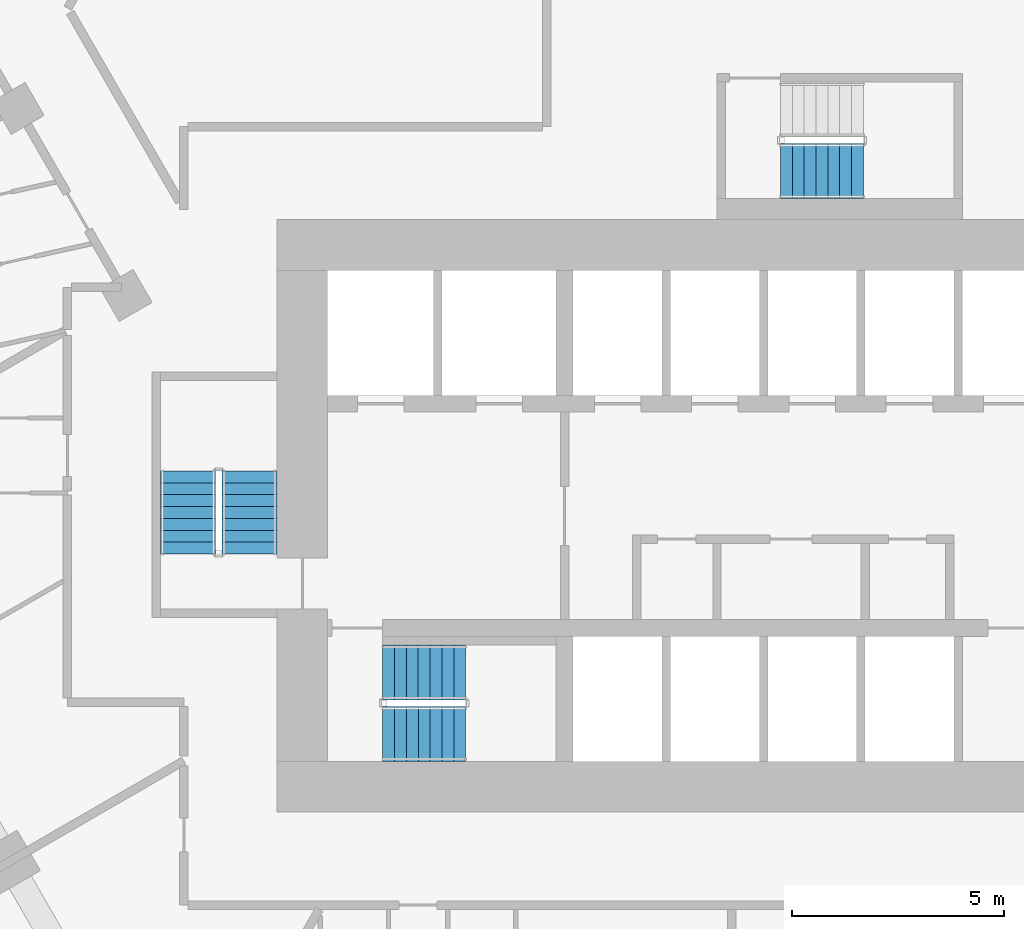
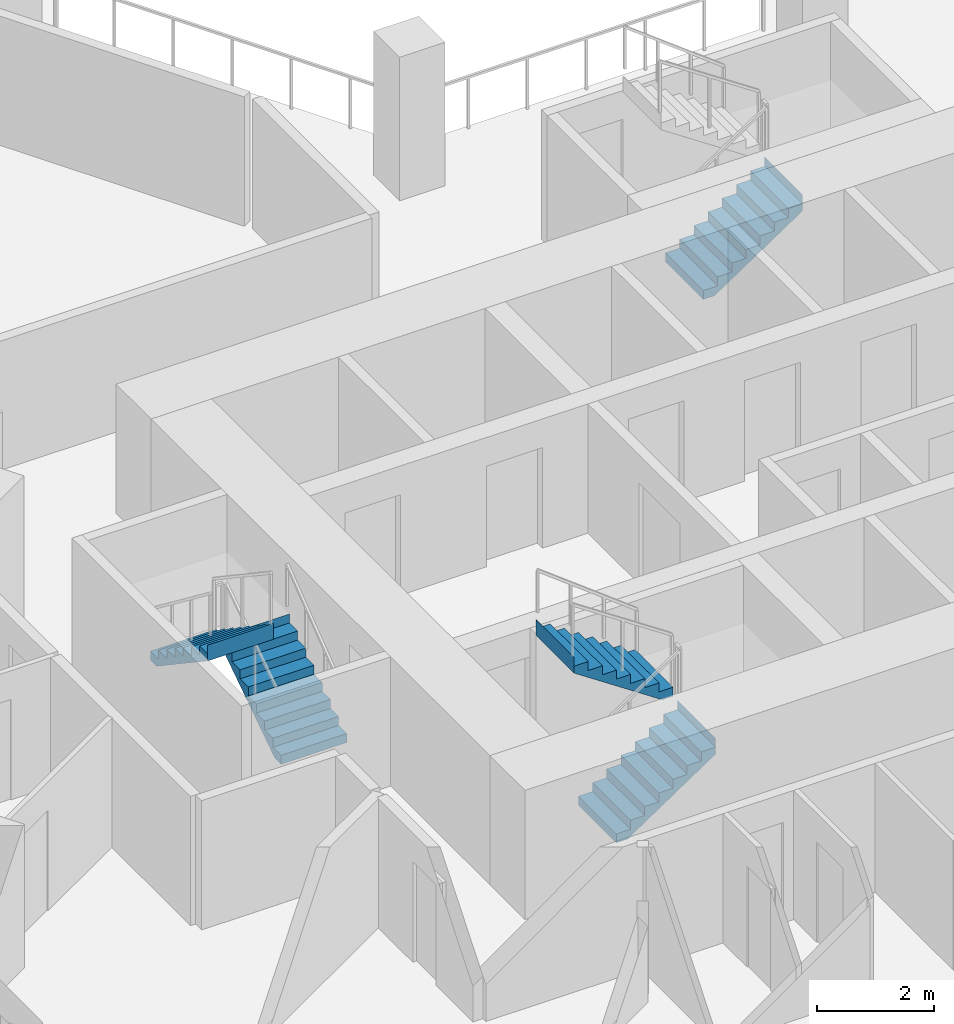
# One storey, part 11 of 16: 5 stair flights, 3 elements without a shape of their own.
"""IFC4 building model written with IfcOpenShell, lengths in metres."""

from ifc_helpers import new_model, si_unit, direction, frame, origin, place, context, subcontext, project, spatial, triangles, material, type_object, element, aggregate, save


model = new_model("IFC4")

# Units and contexts
model_context = context("Model", 3, precision=1e-05, world=origin(), true_north=direction((0.0, 1.0)))
body_context = subcontext(model_context, "Body", "Model", "MODEL_VIEW")
ifc_project = project(units=[si_unit("LENGTHUNIT", "METRE"), si_unit("AREAUNIT", "SQUARE_METRE"), si_unit("VOLUMEUNIT", "CUBIC_METRE"), si_unit("PLANEANGLEUNIT", "RADIAN"), si_unit("MASSUNIT", "GRAM", prefix="KILO")], contexts=[model_context])

# Site, building, storey
site_placement = place(None, origin())
site = spatial("IfcSite", under=ifc_project, at=site_placement, CompositionType="ELEMENT")
building_placement = place(site_placement, origin())
building = spatial("IfcBuilding", under=site, at=building_placement, Name="Beryl Residences", CompositionType="ELEMENT")
storey_placement = place(building_placement, frame((0.0, 0.0, 56.39990234375)))
storey = spatial("IfcBuildingStorey", under=building, at=storey_placement, Name="L17", CompositionType="ELEMENT", Elevation=56.39990234375)

# Stair, stair flights
ifc_material_1 = material(Name="Concrete C40/50", Category="concrete")
stair_type = type_object("IfcStairType", Name="ST1 protected exit stair, half-turn, 1300 mm flights", PredefinedType="HALF_TURN_STAIR", material=ifc_material_1)
stair_1_placement = place(storey_placement, origin())
stair_1 = element("IfcStair", 1, at=stair_1_placement, inside=storey, type_object=stair_type, Name="L17 PROTECTED EXIT STAIR ST-1", PredefinedType="HALF_TURN_STAIR")
ifc_material_2 = material(Name="Concrete C40/50", Category="concrete")
stair_flight_type = type_object("IfcStairFlightType", Name="SF1 stair flight 1300 mm", PredefinedType="STRAIGHT", material=ifc_material_2)
stair_flight_1_placement = place(storey_placement, frame((-10.800048828125, -17.14990234375, 0.0), z_axis=(0.0, 0.0, 1.0), x_axis=(1.0, 0.0, 0.0)))
stair_flight_1 = element("IfcStairFlight", 2, at=stair_flight_1_placement, type_object=stair_flight_type, Name="ST-1 flight 1", NumberOfRisers=8, NumberOfTreads=7, PredefinedType="STRAIGHT", RiserHeight=0.1875, TreadLength=0.28, context=body_context, shape_type="Tessellation", body=[
    triangles([(0.0, -0.64990234375, 0.0), (0.0, -0.324951171875, 0.0), (0.0, 0.0, 0.0), (0.0, 0.324951171875, 0.0), (0.0, 0.64990234375, 0.0), (0.0, -0.64990234375, 0.1875), (0.0, -0.324951171875, 0.1875), (0.0, 0.0, 0.1875), (0.0, 0.324951171875, 0.1875), (0.0, 0.64990234375, 0.1875), (0.280029296875, -0.64990234375, 0.1875), (0.280029296875, -0.324951171875, 0.1875), (0.280029296875, 0.0, 0.1875), (0.280029296875, 0.324951171875, 0.1875), (0.280029296875, 0.64990234375, 0.1875), (0.280029296875, -0.64990234375, 0.375), (0.280029296875, -0.324951171875, 0.375), (0.280029296875, 0.0, 0.375), (0.280029296875, 0.324951171875, 0.375), (0.280029296875, 0.64990234375, 0.375), (0.56005859375, -0.64990234375, 0.375), (0.56005859375, -0.324951171875, 0.375), (0.56005859375, 0.0, 0.375), (0.56005859375, 0.324951171875, 0.375), (0.56005859375, 0.64990234375, 0.375), (0.56005859375, -0.64990234375, 0.5625), (0.56005859375, -0.324951171875, 0.5625), (0.56005859375, 0.0, 0.5625), (0.56005859375, 0.324951171875, 0.5625), (0.56005859375, 0.64990234375, 0.5625), (0.840087890625, -0.64990234375, 0.5625), (0.840087890625, -0.324951171875, 0.5625), (0.840087890625, 0.0, 0.5625), (0.840087890625, 0.324951171875, 0.5625), (0.840087890625, 0.64990234375, 0.5625), (0.840087890625, -0.64990234375, 0.75), (0.840087890625, -0.324951171875, 0.75), (0.840087890625, 0.0, 0.75), (0.840087890625, 0.324951171875, 0.75), (0.840087890625, 0.64990234375, 0.75), (1.1201171875, -0.64990234375, 0.75), (1.1201171875, -0.324951171875, 0.75), (1.1201171875, 0.0, 0.75), (1.1201171875, 0.324951171875, 0.75), (1.1201171875, 0.64990234375, 0.75), (1.1201171875, -0.64990234375, 0.9375), (1.1201171875, -0.324951171875, 0.9375), (1.1201171875, 0.0, 0.9375), (1.1201171875, 0.324951171875, 0.9375), (1.1201171875, 0.64990234375, 0.9375), (1.39990234375, -0.64990234375, 0.9375), (1.39990234375, -0.324951171875, 0.9375), (1.39990234375, 0.0, 0.9375), (1.39990234375, 0.324951171875, 0.9375), (1.39990234375, 0.64990234375, 0.9375), (1.39990234375, -0.64990234375, 1.125), (1.39990234375, -0.324951171875, 1.125), (1.39990234375, 0.0, 1.125), (1.39990234375, 0.324951171875, 1.125), (1.39990234375, 0.64990234375, 1.125), (1.679931640625, -0.64990234375, 1.125), (1.679931640625, -0.324951171875, 1.125), (1.679931640625, 0.0, 1.125), (1.679931640625, 0.324951171875, 1.125), (1.679931640625, 0.64990234375, 1.125), (1.679931640625, -0.64990234375, 1.3125), (1.679931640625, -0.324951171875, 1.3125), (1.679931640625, 0.0, 1.3125), (1.679931640625, 0.324951171875, 1.3125), (1.679931640625, 0.64990234375, 1.3125), (1.9599609375, -0.64990234375, 1.3125), (1.9599609375, -0.324951171875, 1.3125), (1.9599609375, 0.0, 1.3125), (1.9599609375, 0.324951171875, 1.3125), (1.9599609375, 0.64990234375, 1.3125), (1.9599609375, -0.64990234375, 1.5), (1.9599609375, -0.324951171875, 1.5), (1.9599609375, 0.0, 1.5), (1.9599609375, 0.324951171875, 1.5), (1.9599609375, 0.64990234375, 1.5), (1.9609375, -0.64990234375, 1.5), (1.9609375, -0.324951171875, 1.5), (1.9609375, 0.0, 1.5), (1.9609375, 0.324951171875, 1.5), (1.9609375, 0.64990234375, 1.5), (1.9609375, -0.64990234375, 1.16796875), (1.9609375, -0.324951171875, 1.16796875), (1.9609375, 0.0, 1.16796875), (1.9609375, 0.324951171875, 1.16796875), (1.9609375, 0.64990234375, 1.16796875), (0.216796875, -0.64990234375, 0.0), (0.216796875, -0.324951171875, 0.0), (0.216796875, 0.0, 0.0), (0.216796875, 0.324951171875, 0.0), (0.216796875, 0.64990234375, 0.0)], [[1, 6, 7], [1, 7, 2], [2, 7, 8], [2, 8, 3], [3, 8, 9], [3, 9, 4], [4, 9, 10], [4, 10, 5], [6, 11, 12], [6, 12, 7], [7, 12, 13], [7, 13, 8], [8, 13, 14], [8, 14, 9], [9, 14, 15], [9, 15, 10], [11, 16, 17], [11, 17, 12], [12, 17, 18], [12, 18, 13], [13, 18, 19], [13, 19, 14], [14, 19, 20], [14, 20, 15], [16, 21, 22], [16, 22, 17], [17, 22, 23], [17, 23, 18], [18, 23, 24], [18, 24, 19], [19, 24, 25], [19, 25, 20], [21, 26, 27], [21, 27, 22], [22, 27, 28], [22, 28, 23], [23, 28, 29], [23, 29, 24], [24, 29, 30], [24, 30, 25], [26, 31, 32], [26, 32, 27], [27, 32, 33], [27, 33, 28], [28, 33, 34], [28, 34, 29], [29, 34, 35], [29, 35, 30], [31, 36, 37], [31, 37, 32], [32, 37, 38], [32, 38, 33], [33, 38, 39], [33, 39, 34], [34, 39, 40], [34, 40, 35], [36, 41, 42], [36, 42, 37], [37, 42, 43], [37, 43, 38], [38, 43, 44], [38, 44, 39], [39, 44, 45], [39, 45, 40], [41, 46, 47], [41, 47, 42], [42, 47, 48], [42, 48, 43], [43, 48, 49], [43, 49, 44], [44, 49, 50], [44, 50, 45], [46, 51, 52], [46, 52, 47], [47, 52, 53], [47, 53, 48], [48, 53, 54], [48, 54, 49], [49, 54, 55], [49, 55, 50], [51, 56, 57], [51, 57, 52], [52, 57, 58], [52, 58, 53], [53, 58, 59], [53, 59, 54], [54, 59, 60], [54, 60, 55], [56, 61, 62], [56, 62, 57], [57, 62, 63], [57, 63, 58], [58, 63, 64], [58, 64, 59], [59, 64, 65], [59, 65, 60], [61, 66, 67], [61, 67, 62], [62, 67, 68], [62, 68, 63], [63, 68, 69], [63, 69, 64], [64, 69, 70], [64, 70, 65], [66, 71, 72], [66, 72, 67], [67, 72, 73], [67, 73, 68], [68, 73, 74], [68, 74, 69], [69, 74, 75], [69, 75, 70], [71, 76, 77], [71, 77, 72], [72, 77, 78], [72, 78, 73], [73, 78, 79], [73, 79, 74], [74, 79, 80], [74, 80, 75], [76, 81, 82], [76, 82, 77], [77, 82, 83], [77, 83, 78], [78, 83, 84], [78, 84, 79], [79, 84, 85], [79, 85, 80], [81, 86, 87], [81, 87, 82], [82, 87, 88], [82, 88, 83], [83, 88, 89], [83, 89, 84], [84, 89, 90], [84, 90, 85], [86, 91, 92], [86, 92, 87], [87, 92, 93], [87, 93, 88], [88, 93, 94], [88, 94, 89], [89, 94, 95], [89, 95, 90], [91, 1, 2], [91, 2, 92], [92, 2, 3], [92, 3, 93], [93, 3, 4], [93, 4, 94], [94, 4, 5], [94, 5, 95], [1, 91, 86], [5, 90, 95], [86, 81, 76], [90, 80, 85], [86, 76, 71], [90, 75, 80], [86, 71, 66], [90, 70, 75], [86, 66, 61], [90, 65, 70], [61, 56, 51], [65, 55, 60], [86, 61, 51], [90, 55, 65], [51, 46, 41], [55, 45, 50], [86, 51, 41], [90, 45, 55], [41, 36, 31], [45, 35, 40], [86, 41, 31], [90, 35, 45], [31, 26, 21], [35, 25, 30], [86, 31, 21], [90, 25, 35], [21, 16, 11], [25, 15, 20], [86, 21, 11], [90, 15, 25], [1, 86, 11], [5, 15, 90], [11, 6, 1], [15, 5, 10]], closed=True),
])
stair_flight_2_placement = place(storey_placement, frame((-8.840087890625, -15.699951171875, 1.5), z_axis=(0.0, 0.0, 1.0), x_axis=(-1.0, 0.0, 0.0)))
stair_flight_2 = element("IfcStairFlight", 3, at=stair_flight_2_placement, type_object=stair_flight_type, Name="ST-1 flight 2", NumberOfRisers=8, NumberOfTreads=7, PredefinedType="STRAIGHT", RiserHeight=0.1875, TreadLength=0.28, context=body_context, shape_type="Tessellation", body=[
    triangles([(0.0, -0.64990234375, 0.0), (0.0, -0.324951171875, 0.0), (0.0, 0.0, 0.0), (0.0, 0.324951171875, 0.0), (0.0, 0.64990234375, 0.0), (0.0, -0.64990234375, 0.1875), (0.0, -0.324951171875, 0.1875), (0.0, 0.0, 0.1875), (0.0, 0.324951171875, 0.1875), (0.0, 0.64990234375, 0.1875), (0.280029296875, -0.64990234375, 0.1875), (0.280029296875, -0.324951171875, 0.1875), (0.280029296875, 0.0, 0.1875), (0.280029296875, 0.324951171875, 0.1875), (0.280029296875, 0.64990234375, 0.1875), (0.280029296875, -0.64990234375, 0.375), (0.280029296875, -0.324951171875, 0.375), (0.280029296875, 0.0, 0.375), (0.280029296875, 0.324951171875, 0.375), (0.280029296875, 0.64990234375, 0.375), (0.56005859375, -0.64990234375, 0.375), (0.56005859375, -0.324951171875, 0.375), (0.56005859375, 0.0, 0.375), (0.56005859375, 0.324951171875, 0.375), (0.56005859375, 0.64990234375, 0.375), (0.56005859375, -0.64990234375, 0.5625), (0.56005859375, -0.324951171875, 0.5625), (0.56005859375, 0.0, 0.5625), (0.56005859375, 0.324951171875, 0.5625), (0.56005859375, 0.64990234375, 0.5625), (0.840087890625, -0.64990234375, 0.5625), (0.840087890625, -0.324951171875, 0.5625), (0.840087890625, 0.0, 0.5625), (0.840087890625, 0.324951171875, 0.5625), (0.840087890625, 0.64990234375, 0.5625), (0.840087890625, -0.64990234375, 0.75), (0.840087890625, -0.324951171875, 0.75), (0.840087890625, 0.0, 0.75), (0.840087890625, 0.324951171875, 0.75), (0.840087890625, 0.64990234375, 0.75), (1.1201171875, -0.64990234375, 0.75), (1.1201171875, -0.324951171875, 0.75), (1.1201171875, 0.0, 0.75), (1.1201171875, 0.324951171875, 0.75), (1.1201171875, 0.64990234375, 0.75), (1.1201171875, -0.64990234375, 0.9375), (1.1201171875, -0.324951171875, 0.9375), (1.1201171875, 0.0, 0.9375), (1.1201171875, 0.324951171875, 0.9375), (1.1201171875, 0.64990234375, 0.9375), (1.39990234375, -0.64990234375, 0.9375), (1.39990234375, -0.324951171875, 0.9375), (1.39990234375, 0.0, 0.9375), (1.39990234375, 0.324951171875, 0.9375), (1.39990234375, 0.64990234375, 0.9375), (1.39990234375, -0.64990234375, 1.125), (1.39990234375, -0.324951171875, 1.125), (1.39990234375, 0.0, 1.125), (1.39990234375, 0.324951171875, 1.125), (1.39990234375, 0.64990234375, 1.125), (1.679931640625, -0.64990234375, 1.125), (1.679931640625, -0.324951171875, 1.125), (1.679931640625, 0.0, 1.125), (1.679931640625, 0.324951171875, 1.125), (1.679931640625, 0.64990234375, 1.125), (1.679931640625, -0.64990234375, 1.3125), (1.679931640625, -0.324951171875, 1.3125), (1.679931640625, 0.0, 1.3125), (1.679931640625, 0.324951171875, 1.3125), (1.679931640625, 0.64990234375, 1.3125), (1.9599609375, -0.64990234375, 1.3125), (1.9599609375, -0.324951171875, 1.3125), (1.9599609375, 0.0, 1.3125), (1.9599609375, 0.324951171875, 1.3125), (1.9599609375, 0.64990234375, 1.3125), (1.9599609375, -0.64990234375, 1.5), (1.9599609375, -0.324951171875, 1.5), (1.9599609375, 0.0, 1.5), (1.9599609375, 0.324951171875, 1.5), (1.9599609375, 0.64990234375, 1.5), (1.9609375, -0.64990234375, 1.5), (1.9609375, -0.324951171875, 1.5), (1.9609375, 0.0, 1.5), (1.9609375, 0.324951171875, 1.5), (1.9609375, 0.64990234375, 1.5), (1.9609375, -0.64990234375, 1.16796875), (1.9609375, -0.324951171875, 1.16796875), (1.9609375, 0.0, 1.16796875), (1.9609375, 0.324951171875, 1.16796875), (1.9609375, 0.64990234375, 1.16796875), (0.216796875, -0.64990234375, 0.0), (0.216796875, -0.324951171875, 0.0), (0.216796875, 0.0, 0.0), (0.216796875, 0.324951171875, 0.0), (0.216796875, 0.64990234375, 0.0)], [[1, 6, 7], [1, 7, 2], [2, 7, 8], [2, 8, 3], [3, 8, 9], [3, 9, 4], [4, 9, 10], [4, 10, 5], [6, 11, 12], [6, 12, 7], [7, 12, 13], [7, 13, 8], [8, 13, 14], [8, 14, 9], [9, 14, 15], [9, 15, 10], [11, 16, 17], [11, 17, 12], [12, 17, 18], [12, 18, 13], [13, 18, 19], [13, 19, 14], [14, 19, 20], [14, 20, 15], [16, 21, 22], [16, 22, 17], [17, 22, 23], [17, 23, 18], [18, 23, 24], [18, 24, 19], [19, 24, 25], [19, 25, 20], [21, 26, 27], [21, 27, 22], [22, 27, 28], [22, 28, 23], [23, 28, 29], [23, 29, 24], [24, 29, 30], [24, 30, 25], [26, 31, 32], [26, 32, 27], [27, 32, 33], [27, 33, 28], [28, 33, 34], [28, 34, 29], [29, 34, 35], [29, 35, 30], [31, 36, 37], [31, 37, 32], [32, 37, 38], [32, 38, 33], [33, 38, 39], [33, 39, 34], [34, 39, 40], [34, 40, 35], [36, 41, 42], [36, 42, 37], [37, 42, 43], [37, 43, 38], [38, 43, 44], [38, 44, 39], [39, 44, 45], [39, 45, 40], [41, 46, 47], [41, 47, 42], [42, 47, 48], [42, 48, 43], [43, 48, 49], [43, 49, 44], [44, 49, 50], [44, 50, 45], [46, 51, 52], [46, 52, 47], [47, 52, 53], [47, 53, 48], [48, 53, 54], [48, 54, 49], [49, 54, 55], [49, 55, 50], [51, 56, 57], [51, 57, 52], [52, 57, 58], [52, 58, 53], [53, 58, 59], [53, 59, 54], [54, 59, 60], [54, 60, 55], [56, 61, 62], [56, 62, 57], [57, 62, 63], [57, 63, 58], [58, 63, 64], [58, 64, 59], [59, 64, 65], [59, 65, 60], [61, 66, 67], [61, 67, 62], [62, 67, 68], [62, 68, 63], [63, 68, 69], [63, 69, 64], [64, 69, 70], [64, 70, 65], [66, 71, 72], [66, 72, 67], [67, 72, 73], [67, 73, 68], [68, 73, 74], [68, 74, 69], [69, 74, 75], [69, 75, 70], [71, 76, 77], [71, 77, 72], [72, 77, 78], [72, 78, 73], [73, 78, 79], [73, 79, 74], [74, 79, 80], [74, 80, 75], [76, 81, 82], [76, 82, 77], [77, 82, 83], [77, 83, 78], [78, 83, 84], [78, 84, 79], [79, 84, 85], [79, 85, 80], [81, 86, 87], [81, 87, 82], [82, 87, 88], [82, 88, 83], [83, 88, 89], [83, 89, 84], [84, 89, 90], [84, 90, 85], [86, 91, 92], [86, 92, 87], [87, 92, 93], [87, 93, 88], [88, 93, 94], [88, 94, 89], [89, 94, 95], [89, 95, 90], [91, 1, 2], [91, 2, 92], [92, 2, 3], [92, 3, 93], [93, 3, 4], [93, 4, 94], [94, 4, 5], [94, 5, 95], [1, 91, 86], [5, 90, 95], [86, 81, 76], [90, 80, 85], [86, 76, 71], [90, 75, 80], [86, 71, 66], [90, 70, 75], [86, 66, 61], [90, 65, 70], [61, 56, 51], [65, 55, 60], [86, 61, 51], [90, 55, 65], [51, 46, 41], [55, 45, 50], [86, 51, 41], [90, 45, 55], [41, 36, 31], [45, 35, 40], [86, 41, 31], [90, 35, 45], [31, 26, 21], [35, 25, 30], [86, 31, 21], [90, 25, 35], [21, 16, 11], [25, 15, 20], [86, 21, 11], [90, 15, 25], [1, 86, 11], [5, 15, 90], [11, 6, 1], [15, 5, 10]], closed=True),
])
aggregate(stair_1, [stair_flight_1, stair_flight_2])

stair_2_placement = place(storey_placement, origin())
stair_2 = element("IfcStair", 4, at=stair_2_placement, inside=storey, type_object=stair_type, Name="L17 PROTECTED EXIT STAIR ST-2", PredefinedType="HALF_TURN_STAIR")
stair_flight_3_placement = place(storey_placement, frame((-13.949951171875, -12.89990234375, 0.0), z_axis=(0.0, 0.0, 1.0), x_axis=(0.0, 1.0, 0.0)))
stair_flight_3 = element("IfcStairFlight", 5, at=stair_flight_3_placement, type_object=stair_flight_type, Name="ST-2 flight 1", NumberOfRisers=8, NumberOfTreads=7, PredefinedType="STRAIGHT", RiserHeight=0.1875, TreadLength=0.28, context=body_context, shape_type="Tessellation", body=[
    triangles([(0.0, -0.64990234375, 0.0), (0.0, -0.324951171875, 0.0), (0.0, 0.0, 0.0), (0.0, 0.324951171875, 0.0), (0.0, 0.64990234375, 0.0), (0.0, -0.64990234375, 0.1875), (0.0, -0.324951171875, 0.1875), (0.0, 0.0, 0.1875), (0.0, 0.324951171875, 0.1875), (0.0, 0.64990234375, 0.1875), (0.280029296875, -0.64990234375, 0.1875), (0.280029296875, -0.324951171875, 0.1875), (0.280029296875, 0.0, 0.1875), (0.280029296875, 0.324951171875, 0.1875), (0.280029296875, 0.64990234375, 0.1875), (0.280029296875, -0.64990234375, 0.375), (0.280029296875, -0.324951171875, 0.375), (0.280029296875, 0.0, 0.375), (0.280029296875, 0.324951171875, 0.375), (0.280029296875, 0.64990234375, 0.375), (0.56005859375, -0.64990234375, 0.375), (0.56005859375, -0.324951171875, 0.375), (0.56005859375, 0.0, 0.375), (0.56005859375, 0.324951171875, 0.375), (0.56005859375, 0.64990234375, 0.375), (0.56005859375, -0.64990234375, 0.5625), (0.56005859375, -0.324951171875, 0.5625), (0.56005859375, 0.0, 0.5625), (0.56005859375, 0.324951171875, 0.5625), (0.56005859375, 0.64990234375, 0.5625), (0.840087890625, -0.64990234375, 0.5625), (0.840087890625, -0.324951171875, 0.5625), (0.840087890625, 0.0, 0.5625), (0.840087890625, 0.324951171875, 0.5625), (0.840087890625, 0.64990234375, 0.5625), (0.840087890625, -0.64990234375, 0.75), (0.840087890625, -0.324951171875, 0.75), (0.840087890625, 0.0, 0.75), (0.840087890625, 0.324951171875, 0.75), (0.840087890625, 0.64990234375, 0.75), (1.1201171875, -0.64990234375, 0.75), (1.1201171875, -0.324951171875, 0.75), (1.1201171875, 0.0, 0.75), (1.1201171875, 0.324951171875, 0.75), (1.1201171875, 0.64990234375, 0.75), (1.1201171875, -0.64990234375, 0.9375), (1.1201171875, -0.324951171875, 0.9375), (1.1201171875, 0.0, 0.9375), (1.1201171875, 0.324951171875, 0.9375), (1.1201171875, 0.64990234375, 0.9375), (1.39990234375, -0.64990234375, 0.9375), (1.39990234375, -0.324951171875, 0.9375), (1.39990234375, 0.0, 0.9375), (1.39990234375, 0.324951171875, 0.9375), (1.39990234375, 0.64990234375, 0.9375), (1.39990234375, -0.64990234375, 1.125), (1.39990234375, -0.324951171875, 1.125), (1.39990234375, 0.0, 1.125), (1.39990234375, 0.324951171875, 1.125), (1.39990234375, 0.64990234375, 1.125), (1.679931640625, -0.64990234375, 1.125), (1.679931640625, -0.324951171875, 1.125), (1.679931640625, 0.0, 1.125), (1.679931640625, 0.324951171875, 1.125), (1.679931640625, 0.64990234375, 1.125), (1.679931640625, -0.64990234375, 1.3125), (1.679931640625, -0.324951171875, 1.3125), (1.679931640625, 0.0, 1.3125), (1.679931640625, 0.324951171875, 1.3125), (1.679931640625, 0.64990234375, 1.3125), (1.9599609375, -0.64990234375, 1.3125), (1.9599609375, -0.324951171875, 1.3125), (1.9599609375, 0.0, 1.3125), (1.9599609375, 0.324951171875, 1.3125), (1.9599609375, 0.64990234375, 1.3125), (1.9599609375, -0.64990234375, 1.5), (1.9599609375, -0.324951171875, 1.5), (1.9599609375, 0.0, 1.5), (1.9599609375, 0.324951171875, 1.5), (1.9599609375, 0.64990234375, 1.5), (1.9609375, -0.64990234375, 1.5), (1.9609375, -0.324951171875, 1.5), (1.9609375, 0.0, 1.5), (1.9609375, 0.324951171875, 1.5), (1.9609375, 0.64990234375, 1.5), (1.9609375, -0.64990234375, 1.16796875), (1.9609375, -0.324951171875, 1.16796875), (1.9609375, 0.0, 1.16796875), (1.9609375, 0.324951171875, 1.16796875), (1.9609375, 0.64990234375, 1.16796875), (0.216796875, -0.64990234375, 0.0), (0.216796875, -0.324951171875, 0.0), (0.216796875, 0.0, 0.0), (0.216796875, 0.324951171875, 0.0), (0.216796875, 0.64990234375, 0.0)], [[1, 6, 7], [1, 7, 2], [2, 7, 8], [2, 8, 3], [3, 8, 9], [3, 9, 4], [4, 9, 10], [4, 10, 5], [6, 11, 12], [6, 12, 7], [7, 12, 13], [7, 13, 8], [8, 13, 14], [8, 14, 9], [9, 14, 15], [9, 15, 10], [11, 16, 17], [11, 17, 12], [12, 17, 18], [12, 18, 13], [13, 18, 19], [13, 19, 14], [14, 19, 20], [14, 20, 15], [16, 21, 22], [16, 22, 17], [17, 22, 23], [17, 23, 18], [18, 23, 24], [18, 24, 19], [19, 24, 25], [19, 25, 20], [21, 26, 27], [21, 27, 22], [22, 27, 28], [22, 28, 23], [23, 28, 29], [23, 29, 24], [24, 29, 30], [24, 30, 25], [26, 31, 32], [26, 32, 27], [27, 32, 33], [27, 33, 28], [28, 33, 34], [28, 34, 29], [29, 34, 35], [29, 35, 30], [31, 36, 37], [31, 37, 32], [32, 37, 38], [32, 38, 33], [33, 38, 39], [33, 39, 34], [34, 39, 40], [34, 40, 35], [36, 41, 42], [36, 42, 37], [37, 42, 43], [37, 43, 38], [38, 43, 44], [38, 44, 39], [39, 44, 45], [39, 45, 40], [41, 46, 47], [41, 47, 42], [42, 47, 48], [42, 48, 43], [43, 48, 49], [43, 49, 44], [44, 49, 50], [44, 50, 45], [46, 51, 52], [46, 52, 47], [47, 52, 53], [47, 53, 48], [48, 53, 54], [48, 54, 49], [49, 54, 55], [49, 55, 50], [51, 56, 57], [51, 57, 52], [52, 57, 58], [52, 58, 53], [53, 58, 59], [53, 59, 54], [54, 59, 60], [54, 60, 55], [56, 61, 62], [56, 62, 57], [57, 62, 63], [57, 63, 58], [58, 63, 64], [58, 64, 59], [59, 64, 65], [59, 65, 60], [61, 66, 67], [61, 67, 62], [62, 67, 68], [62, 68, 63], [63, 68, 69], [63, 69, 64], [64, 69, 70], [64, 70, 65], [66, 71, 72], [66, 72, 67], [67, 72, 73], [67, 73, 68], [68, 73, 74], [68, 74, 69], [69, 74, 75], [69, 75, 70], [71, 76, 77], [71, 77, 72], [72, 77, 78], [72, 78, 73], [73, 78, 79], [73, 79, 74], [74, 79, 80], [74, 80, 75], [76, 81, 82], [76, 82, 77], [77, 82, 83], [77, 83, 78], [78, 83, 84], [78, 84, 79], [79, 84, 85], [79, 85, 80], [81, 86, 87], [81, 87, 82], [82, 87, 88], [82, 88, 83], [83, 88, 89], [83, 89, 84], [84, 89, 90], [84, 90, 85], [86, 91, 92], [86, 92, 87], [87, 92, 93], [87, 93, 88], [88, 93, 94], [88, 94, 89], [89, 94, 95], [89, 95, 90], [91, 1, 2], [91, 2, 92], [92, 2, 3], [92, 3, 93], [93, 3, 4], [93, 4, 94], [94, 4, 5], [94, 5, 95], [1, 91, 86], [5, 90, 95], [86, 81, 76], [90, 80, 85], [86, 76, 71], [90, 75, 80], [86, 71, 66], [90, 70, 75], [86, 66, 61], [90, 65, 70], [61, 56, 51], [65, 55, 60], [86, 61, 51], [90, 55, 65], [51, 46, 41], [55, 45, 50], [86, 51, 41], [90, 45, 55], [41, 36, 31], [45, 35, 40], [86, 41, 31], [90, 35, 45], [31, 26, 21], [35, 25, 30], [86, 31, 21], [90, 25, 35], [21, 16, 11], [25, 15, 20], [86, 21, 11], [90, 15, 25], [1, 86, 11], [5, 15, 90], [11, 6, 1], [15, 5, 10]], closed=True),
])
stair_flight_4_placement = place(storey_placement, frame((-15.39990234375, -10.93994140625, 1.5), z_axis=(0.0, 0.0, 1.0), x_axis=(0.0, -1.0, 0.0)))
stair_flight_4 = element("IfcStairFlight", 6, at=stair_flight_4_placement, type_object=stair_flight_type, Name="ST-2 flight 2", NumberOfRisers=8, NumberOfTreads=7, PredefinedType="STRAIGHT", RiserHeight=0.1875, TreadLength=0.28, context=body_context, shape_type="Tessellation", body=[
    triangles([(0.0, -0.64990234375, 0.0), (0.0, -0.324951171875, 0.0), (0.0, 0.0, 0.0), (0.0, 0.324951171875, 0.0), (0.0, 0.64990234375, 0.0), (0.0, -0.64990234375, 0.1875), (0.0, -0.324951171875, 0.1875), (0.0, 0.0, 0.1875), (0.0, 0.324951171875, 0.1875), (0.0, 0.64990234375, 0.1875), (0.280029296875, -0.64990234375, 0.1875), (0.280029296875, -0.324951171875, 0.1875), (0.280029296875, 0.0, 0.1875), (0.280029296875, 0.324951171875, 0.1875), (0.280029296875, 0.64990234375, 0.1875), (0.280029296875, -0.64990234375, 0.375), (0.280029296875, -0.324951171875, 0.375), (0.280029296875, 0.0, 0.375), (0.280029296875, 0.324951171875, 0.375), (0.280029296875, 0.64990234375, 0.375), (0.56005859375, -0.64990234375, 0.375), (0.56005859375, -0.324951171875, 0.375), (0.56005859375, 0.0, 0.375), (0.56005859375, 0.324951171875, 0.375), (0.56005859375, 0.64990234375, 0.375), (0.56005859375, -0.64990234375, 0.5625), (0.56005859375, -0.324951171875, 0.5625), (0.56005859375, 0.0, 0.5625), (0.56005859375, 0.324951171875, 0.5625), (0.56005859375, 0.64990234375, 0.5625), (0.840087890625, -0.64990234375, 0.5625), (0.840087890625, -0.324951171875, 0.5625), (0.840087890625, 0.0, 0.5625), (0.840087890625, 0.324951171875, 0.5625), (0.840087890625, 0.64990234375, 0.5625), (0.840087890625, -0.64990234375, 0.75), (0.840087890625, -0.324951171875, 0.75), (0.840087890625, 0.0, 0.75), (0.840087890625, 0.324951171875, 0.75), (0.840087890625, 0.64990234375, 0.75), (1.1201171875, -0.64990234375, 0.75), (1.1201171875, -0.324951171875, 0.75), (1.1201171875, 0.0, 0.75), (1.1201171875, 0.324951171875, 0.75), (1.1201171875, 0.64990234375, 0.75), (1.1201171875, -0.64990234375, 0.9375), (1.1201171875, -0.324951171875, 0.9375), (1.1201171875, 0.0, 0.9375), (1.1201171875, 0.324951171875, 0.9375), (1.1201171875, 0.64990234375, 0.9375), (1.39990234375, -0.64990234375, 0.9375), (1.39990234375, -0.324951171875, 0.9375), (1.39990234375, 0.0, 0.9375), (1.39990234375, 0.324951171875, 0.9375), (1.39990234375, 0.64990234375, 0.9375), (1.39990234375, -0.64990234375, 1.125), (1.39990234375, -0.324951171875, 1.125), (1.39990234375, 0.0, 1.125), (1.39990234375, 0.324951171875, 1.125), (1.39990234375, 0.64990234375, 1.125), (1.679931640625, -0.64990234375, 1.125), (1.679931640625, -0.324951171875, 1.125), (1.679931640625, 0.0, 1.125), (1.679931640625, 0.324951171875, 1.125), (1.679931640625, 0.64990234375, 1.125), (1.679931640625, -0.64990234375, 1.3125), (1.679931640625, -0.324951171875, 1.3125), (1.679931640625, 0.0, 1.3125), (1.679931640625, 0.324951171875, 1.3125), (1.679931640625, 0.64990234375, 1.3125), (1.9599609375, -0.64990234375, 1.3125), (1.9599609375, -0.324951171875, 1.3125), (1.9599609375, 0.0, 1.3125), (1.9599609375, 0.324951171875, 1.3125), (1.9599609375, 0.64990234375, 1.3125), (1.9599609375, -0.64990234375, 1.5), (1.9599609375, -0.324951171875, 1.5), (1.9599609375, 0.0, 1.5), (1.9599609375, 0.324951171875, 1.5), (1.9599609375, 0.64990234375, 1.5), (1.9609375, -0.64990234375, 1.5), (1.9609375, -0.324951171875, 1.5), (1.9609375, 0.0, 1.5), (1.9609375, 0.324951171875, 1.5), (1.9609375, 0.64990234375, 1.5), (1.9609375, -0.64990234375, 1.16796875), (1.9609375, -0.324951171875, 1.16796875), (1.9609375, 0.0, 1.16796875), (1.9609375, 0.324951171875, 1.16796875), (1.9609375, 0.64990234375, 1.16796875), (0.216796875, -0.64990234375, 0.0), (0.216796875, -0.324951171875, 0.0), (0.216796875, 0.0, 0.0), (0.216796875, 0.324951171875, 0.0), (0.216796875, 0.64990234375, 0.0)], [[1, 6, 7], [1, 7, 2], [2, 7, 8], [2, 8, 3], [3, 8, 9], [3, 9, 4], [4, 9, 10], [4, 10, 5], [6, 11, 12], [6, 12, 7], [7, 12, 13], [7, 13, 8], [8, 13, 14], [8, 14, 9], [9, 14, 15], [9, 15, 10], [11, 16, 17], [11, 17, 12], [12, 17, 18], [12, 18, 13], [13, 18, 19], [13, 19, 14], [14, 19, 20], [14, 20, 15], [16, 21, 22], [16, 22, 17], [17, 22, 23], [17, 23, 18], [18, 23, 24], [18, 24, 19], [19, 24, 25], [19, 25, 20], [21, 26, 27], [21, 27, 22], [22, 27, 28], [22, 28, 23], [23, 28, 29], [23, 29, 24], [24, 29, 30], [24, 30, 25], [26, 31, 32], [26, 32, 27], [27, 32, 33], [27, 33, 28], [28, 33, 34], [28, 34, 29], [29, 34, 35], [29, 35, 30], [31, 36, 37], [31, 37, 32], [32, 37, 38], [32, 38, 33], [33, 38, 39], [33, 39, 34], [34, 39, 40], [34, 40, 35], [36, 41, 42], [36, 42, 37], [37, 42, 43], [37, 43, 38], [38, 43, 44], [38, 44, 39], [39, 44, 45], [39, 45, 40], [41, 46, 47], [41, 47, 42], [42, 47, 48], [42, 48, 43], [43, 48, 49], [43, 49, 44], [44, 49, 50], [44, 50, 45], [46, 51, 52], [46, 52, 47], [47, 52, 53], [47, 53, 48], [48, 53, 54], [48, 54, 49], [49, 54, 55], [49, 55, 50], [51, 56, 57], [51, 57, 52], [52, 57, 58], [52, 58, 53], [53, 58, 59], [53, 59, 54], [54, 59, 60], [54, 60, 55], [56, 61, 62], [56, 62, 57], [57, 62, 63], [57, 63, 58], [58, 63, 64], [58, 64, 59], [59, 64, 65], [59, 65, 60], [61, 66, 67], [61, 67, 62], [62, 67, 68], [62, 68, 63], [63, 68, 69], [63, 69, 64], [64, 69, 70], [64, 70, 65], [66, 71, 72], [66, 72, 67], [67, 72, 73], [67, 73, 68], [68, 73, 74], [68, 74, 69], [69, 74, 75], [69, 75, 70], [71, 76, 77], [71, 77, 72], [72, 77, 78], [72, 78, 73], [73, 78, 79], [73, 79, 74], [74, 79, 80], [74, 80, 75], [76, 81, 82], [76, 82, 77], [77, 82, 83], [77, 83, 78], [78, 83, 84], [78, 84, 79], [79, 84, 85], [79, 85, 80], [81, 86, 87], [81, 87, 82], [82, 87, 88], [82, 88, 83], [83, 88, 89], [83, 89, 84], [84, 89, 90], [84, 90, 85], [86, 91, 92], [86, 92, 87], [87, 92, 93], [87, 93, 88], [88, 93, 94], [88, 94, 89], [89, 94, 95], [89, 95, 90], [91, 1, 2], [91, 2, 92], [92, 2, 3], [92, 3, 93], [93, 3, 4], [93, 4, 94], [94, 4, 5], [94, 5, 95], [1, 91, 86], [5, 90, 95], [86, 81, 76], [90, 80, 85], [86, 76, 71], [90, 75, 80], [86, 71, 66], [90, 70, 75], [86, 66, 61], [90, 65, 70], [61, 56, 51], [65, 55, 60], [86, 61, 51], [90, 55, 65], [51, 46, 41], [55, 45, 50], [86, 51, 41], [90, 45, 55], [41, 36, 31], [45, 35, 40], [86, 41, 31], [90, 35, 45], [31, 26, 21], [35, 25, 30], [86, 31, 21], [90, 25, 35], [21, 16, 11], [25, 15, 20], [86, 21, 11], [90, 15, 25], [1, 86, 11], [5, 15, 90], [11, 6, 1], [15, 5, 10]], closed=True),
])
aggregate(stair_2, [stair_flight_3, stair_flight_4])

# Stair, stair flight
stair_3_placement = place(storey_placement, origin())
stair_3 = element("IfcStair", 7, at=stair_3_placement, inside=storey, type_object=stair_type, Name="L17 PROTECTED EXIT STAIR ST-4", PredefinedType="HALF_TURN_STAIR")
stair_flight_5_placement = place(storey_placement, frame((-1.39990234375, -3.85009765625, 0.0), z_axis=(0.0, 0.0, 1.0), x_axis=(1.0, 0.0, 0.0)))
stair_flight_5 = element("IfcStairFlight", 8, at=stair_flight_5_placement, type_object=stair_flight_type, Name="ST-4 flight 1", NumberOfRisers=8, NumberOfTreads=7, PredefinedType="STRAIGHT", RiserHeight=0.1875, TreadLength=0.28, context=body_context, shape_type="Tessellation", body=[
    triangles([(0.0, -0.64990234375, 0.0), (0.0, -0.324951171875, 0.0), (0.0, 0.0, 0.0), (0.0, 0.324951171875, 0.0), (0.0, 0.64990234375, 0.0), (0.0, -0.64990234375, 0.1875), (0.0, -0.324951171875, 0.1875), (0.0, 0.0, 0.1875), (0.0, 0.324951171875, 0.1875), (0.0, 0.64990234375, 0.1875), (0.280029296875, -0.64990234375, 0.1875), (0.280029296875, -0.324951171875, 0.1875), (0.280029296875, 0.0, 0.1875), (0.280029296875, 0.324951171875, 0.1875), (0.280029296875, 0.64990234375, 0.1875), (0.280029296875, -0.64990234375, 0.375), (0.280029296875, -0.324951171875, 0.375), (0.280029296875, 0.0, 0.375), (0.280029296875, 0.324951171875, 0.375), (0.280029296875, 0.64990234375, 0.375), (0.56005859375, -0.64990234375, 0.375), (0.56005859375, -0.324951171875, 0.375), (0.56005859375, 0.0, 0.375), (0.56005859375, 0.324951171875, 0.375), (0.56005859375, 0.64990234375, 0.375), (0.56005859375, -0.64990234375, 0.5625), (0.56005859375, -0.324951171875, 0.5625), (0.56005859375, 0.0, 0.5625), (0.56005859375, 0.324951171875, 0.5625), (0.56005859375, 0.64990234375, 0.5625), (0.840087890625, -0.64990234375, 0.5625), (0.840087890625, -0.324951171875, 0.5625), (0.840087890625, 0.0, 0.5625), (0.840087890625, 0.324951171875, 0.5625), (0.840087890625, 0.64990234375, 0.5625), (0.840087890625, -0.64990234375, 0.75), (0.840087890625, -0.324951171875, 0.75), (0.840087890625, 0.0, 0.75), (0.840087890625, 0.324951171875, 0.75), (0.840087890625, 0.64990234375, 0.75), (1.1201171875, -0.64990234375, 0.75), (1.1201171875, -0.324951171875, 0.75), (1.1201171875, 0.0, 0.75), (1.1201171875, 0.324951171875, 0.75), (1.1201171875, 0.64990234375, 0.75), (1.1201171875, -0.64990234375, 0.9375), (1.1201171875, -0.324951171875, 0.9375), (1.1201171875, 0.0, 0.9375), (1.1201171875, 0.324951171875, 0.9375), (1.1201171875, 0.64990234375, 0.9375), (1.39990234375, -0.64990234375, 0.9375), (1.39990234375, -0.324951171875, 0.9375), (1.39990234375, 0.0, 0.9375), (1.39990234375, 0.324951171875, 0.9375), (1.39990234375, 0.64990234375, 0.9375), (1.39990234375, -0.64990234375, 1.125), (1.39990234375, -0.324951171875, 1.125), (1.39990234375, 0.0, 1.125), (1.39990234375, 0.324951171875, 1.125), (1.39990234375, 0.64990234375, 1.125), (1.679931640625, -0.64990234375, 1.125), (1.679931640625, -0.324951171875, 1.125), (1.679931640625, 0.0, 1.125), (1.679931640625, 0.324951171875, 1.125), (1.679931640625, 0.64990234375, 1.125), (1.679931640625, -0.64990234375, 1.3125), (1.679931640625, -0.324951171875, 1.3125), (1.679931640625, 0.0, 1.3125), (1.679931640625, 0.324951171875, 1.3125), (1.679931640625, 0.64990234375, 1.3125), (1.9599609375, -0.64990234375, 1.3125), (1.9599609375, -0.324951171875, 1.3125), (1.9599609375, 0.0, 1.3125), (1.9599609375, 0.324951171875, 1.3125), (1.9599609375, 0.64990234375, 1.3125), (1.9599609375, -0.64990234375, 1.5), (1.9599609375, -0.324951171875, 1.5), (1.9599609375, 0.0, 1.5), (1.9599609375, 0.324951171875, 1.5), (1.9599609375, 0.64990234375, 1.5), (1.9609375, -0.64990234375, 1.5), (1.9609375, -0.324951171875, 1.5), (1.9609375, 0.0, 1.5), (1.9609375, 0.324951171875, 1.5), (1.9609375, 0.64990234375, 1.5), (1.9609375, -0.64990234375, 1.16796875), (1.9609375, -0.324951171875, 1.16796875), (1.9609375, 0.0, 1.16796875), (1.9609375, 0.324951171875, 1.16796875), (1.9609375, 0.64990234375, 1.16796875), (0.216796875, -0.64990234375, 0.0), (0.216796875, -0.324951171875, 0.0), (0.216796875, 0.0, 0.0), (0.216796875, 0.324951171875, 0.0), (0.216796875, 0.64990234375, 0.0)], [[1, 6, 7], [1, 7, 2], [2, 7, 8], [2, 8, 3], [3, 8, 9], [3, 9, 4], [4, 9, 10], [4, 10, 5], [6, 11, 12], [6, 12, 7], [7, 12, 13], [7, 13, 8], [8, 13, 14], [8, 14, 9], [9, 14, 15], [9, 15, 10], [11, 16, 17], [11, 17, 12], [12, 17, 18], [12, 18, 13], [13, 18, 19], [13, 19, 14], [14, 19, 20], [14, 20, 15], [16, 21, 22], [16, 22, 17], [17, 22, 23], [17, 23, 18], [18, 23, 24], [18, 24, 19], [19, 24, 25], [19, 25, 20], [21, 26, 27], [21, 27, 22], [22, 27, 28], [22, 28, 23], [23, 28, 29], [23, 29, 24], [24, 29, 30], [24, 30, 25], [26, 31, 32], [26, 32, 27], [27, 32, 33], [27, 33, 28], [28, 33, 34], [28, 34, 29], [29, 34, 35], [29, 35, 30], [31, 36, 37], [31, 37, 32], [32, 37, 38], [32, 38, 33], [33, 38, 39], [33, 39, 34], [34, 39, 40], [34, 40, 35], [36, 41, 42], [36, 42, 37], [37, 42, 43], [37, 43, 38], [38, 43, 44], [38, 44, 39], [39, 44, 45], [39, 45, 40], [41, 46, 47], [41, 47, 42], [42, 47, 48], [42, 48, 43], [43, 48, 49], [43, 49, 44], [44, 49, 50], [44, 50, 45], [46, 51, 52], [46, 52, 47], [47, 52, 53], [47, 53, 48], [48, 53, 54], [48, 54, 49], [49, 54, 55], [49, 55, 50], [51, 56, 57], [51, 57, 52], [52, 57, 58], [52, 58, 53], [53, 58, 59], [53, 59, 54], [54, 59, 60], [54, 60, 55], [56, 61, 62], [56, 62, 57], [57, 62, 63], [57, 63, 58], [58, 63, 64], [58, 64, 59], [59, 64, 65], [59, 65, 60], [61, 66, 67], [61, 67, 62], [62, 67, 68], [62, 68, 63], [63, 68, 69], [63, 69, 64], [64, 69, 70], [64, 70, 65], [66, 71, 72], [66, 72, 67], [67, 72, 73], [67, 73, 68], [68, 73, 74], [68, 74, 69], [69, 74, 75], [69, 75, 70], [71, 76, 77], [71, 77, 72], [72, 77, 78], [72, 78, 73], [73, 78, 79], [73, 79, 74], [74, 79, 80], [74, 80, 75], [76, 81, 82], [76, 82, 77], [77, 82, 83], [77, 83, 78], [78, 83, 84], [78, 84, 79], [79, 84, 85], [79, 85, 80], [81, 86, 87], [81, 87, 82], [82, 87, 88], [82, 88, 83], [83, 88, 89], [83, 89, 84], [84, 89, 90], [84, 90, 85], [86, 91, 92], [86, 92, 87], [87, 92, 93], [87, 93, 88], [88, 93, 94], [88, 94, 89], [89, 94, 95], [89, 95, 90], [91, 1, 2], [91, 2, 92], [92, 2, 3], [92, 3, 93], [93, 3, 4], [93, 4, 94], [94, 4, 5], [94, 5, 95], [1, 91, 86], [5, 90, 95], [86, 81, 76], [90, 80, 85], [86, 76, 71], [90, 75, 80], [86, 71, 66], [90, 70, 75], [86, 66, 61], [90, 65, 70], [61, 56, 51], [65, 55, 60], [86, 61, 51], [90, 55, 65], [51, 46, 41], [55, 45, 50], [86, 51, 41], [90, 45, 55], [41, 36, 31], [45, 35, 40], [86, 41, 31], [90, 35, 45], [31, 26, 21], [35, 25, 30], [86, 31, 21], [90, 25, 35], [21, 16, 11], [25, 15, 20], [86, 21, 11], [90, 15, 25], [1, 86, 11], [5, 15, 90], [11, 6, 1], [15, 5, 10]], closed=True),
])
aggregate(stair_3, [stair_flight_5])

save(model, "model.ifc")
